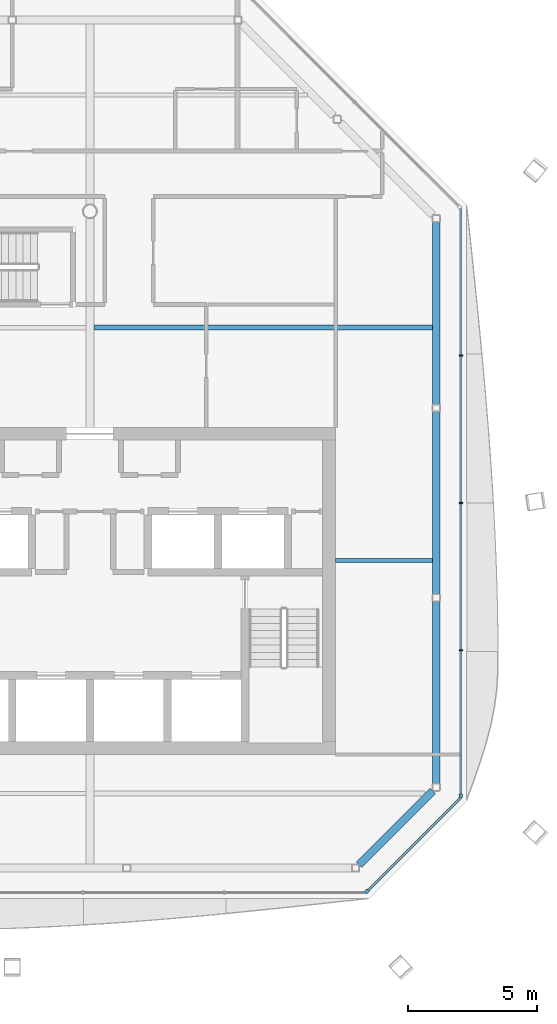
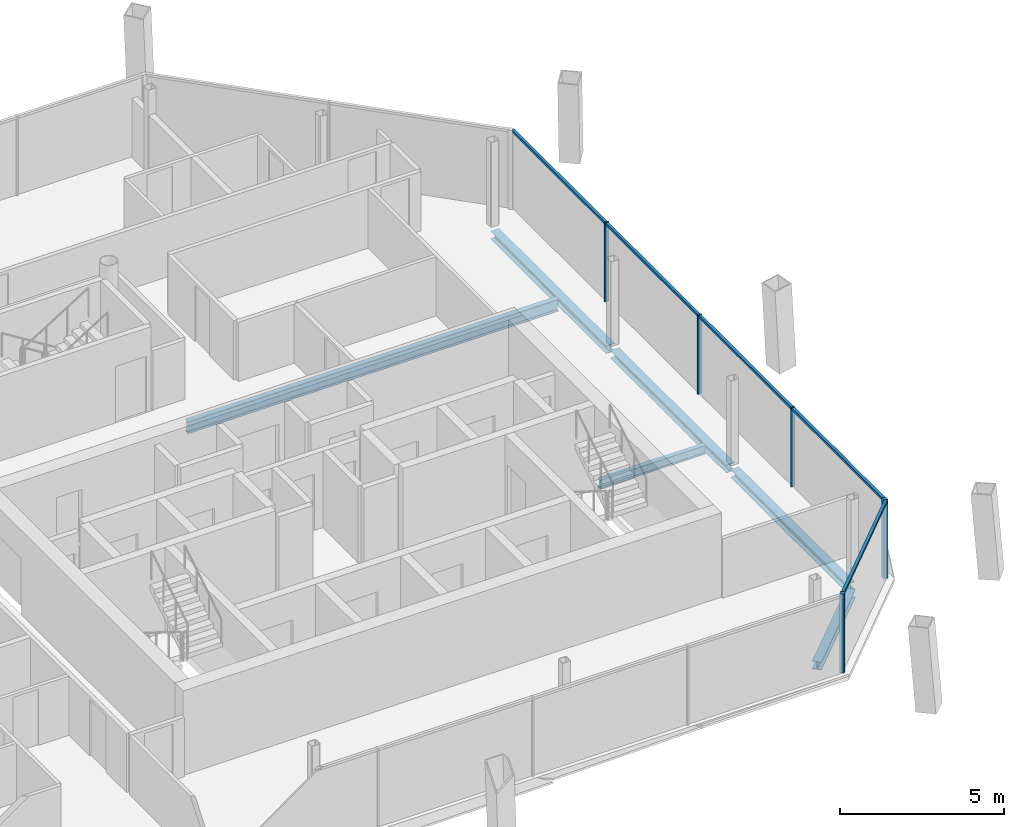
# One storey, part 6 of 16: 10 members, 6 beams, 2 elements without a shape of their own.
"""IFC4 building model written with IfcOpenShell, lengths in metres."""

from ifc_helpers import new_model, si_unit, direction, frame, origin, origin_2d, place, context, subcontext, project, spatial, rectangle, i_section, extrude, material, material_profile, profile_set, type_object, element, aggregate, save


model = new_model("IFC4")

# Units and contexts
model_context = context("Model", 3, precision=1e-05, world=origin(), true_north=direction((0.0, 1.0)))
body_context = subcontext(model_context, "Body", "Model", "MODEL_VIEW")
ifc_project = project(units=[si_unit("LENGTHUNIT", "METRE"), si_unit("AREAUNIT", "SQUARE_METRE"), si_unit("VOLUMEUNIT", "CUBIC_METRE"), si_unit("PLANEANGLEUNIT", "RADIAN"), si_unit("MASSUNIT", "GRAM", prefix="KILO")], contexts=[model_context])

# Site, building, storey
site_placement = place(None, origin())
site = spatial("IfcSite", under=ifc_project, at=site_placement, CompositionType="ELEMENT")
building_placement = place(site_placement, origin())
building = spatial("IfcBuilding", under=site, at=building_placement, Name="Tskaro Facet Tower", CompositionType="ELEMENT")
storey_placement = place(building_placement, frame((0.0, 0.0, 248.699951171875)))
storey = spatial("IfcBuildingStorey", under=building, at=storey_placement, Name="L65", CompositionType="ELEMENT", Elevation=248.699951171875)

# Curtain wall, member
ifc_material_1 = material(Name="Bronze anodised aluminium 6063-T6", Category="aluminium")
curtain_wall_type = type_object("IfcCurtainWallType", Name="Bronze residence curtain wall (FW3)", PredefinedType="NOTDEFINED", material=ifc_material_1)
curtain_wall_1_placement = place(storey_placement, origin())
curtain_wall_1 = element("IfcCurtainWall", 1, at=curtain_wall_1_placement, inside=storey, type_object=curtain_wall_type, Name="FW3 south-east facet L65", PredefinedType="NOTDEFINED")
ifc_material_profile_1 = material_profile(ifc_material_1, rectangle(XDim=0.139892578125, YDim=0.139892578125, at=origin_2d()), Name="Corner post 140x140")
ifc_profile_set_1 = profile_set([ifc_material_profile_1], Name="Bronze anodised aluminium 6063-T6")
member_type_1 = type_object("IfcMemberType", Name="FW3 bronze corner post 140x140", PredefinedType="MULLION", material=ifc_profile_set_1)
member_1_placement = place(storey_placement, frame((10.71044921875, -17.29150390625, 0.0), z_axis=(0.0, 0.0, 1.0), x_axis=(0.707106781187, 0.707106781187, 0.0)))
member_1 = element("IfcMember", 2, at=member_1_placement, type_object=member_type_1, Name="FW3 south-east corner post", PredefinedType="MULLION", context=body_context, shape_type="SweptSolid", body=[
    extrude(rectangle(XDim=0.139892578125, YDim=0.139892578125, at=origin_2d()), origin(), (0.0, 0.0, 1.0), 2.949951171875),
])

# Curtain wall, members
curtain_wall_2_placement = place(storey_placement, origin())
curtain_wall_2 = element("IfcCurtainWall", 3, at=curtain_wall_2_placement, inside=storey, type_object=curtain_wall_type, Name="FW3 east facet L65", PredefinedType="NOTDEFINED")
member_2_placement = place(storey_placement, frame((14.341064453125, -13.591064453125, 0.0), z_axis=(0.0, 0.0, 1.0), x_axis=(0.0, 1.0, 0.0)))
member_2 = element("IfcMember", 4, at=member_2_placement, type_object=member_type_1, Name="FW3 east corner post", PredefinedType="MULLION", context=body_context, shape_type="SweptSolid", body=[
    extrude(rectangle(XDim=0.139892578125, YDim=0.139892578125, at=origin_2d()), origin(), (0.0, 0.0, 1.0), 2.949951171875),
])
ifc_material_profile_2 = material_profile(ifc_material_1, rectangle(XDim=0.050048828125, YDim=0.139892578125, at=origin_2d()), Name="Mullion 50x140")
ifc_profile_set_2 = profile_set([ifc_material_profile_2], Name="Bronze anodised aluminium 6063-T6")
member_type_2 = type_object("IfcMemberType", Name="FW3 bronze mullion 50x140", PredefinedType="MULLION", material=ifc_profile_set_2)
member_3_placement = place(storey_placement, frame((14.341064453125, -7.96630859375, 0.0), z_axis=(0.0, 0.0, 1.0), x_axis=(0.0, 1.0, 0.0)))
member_3 = element("IfcMember", 5, at=member_3_placement, type_object=member_type_2, Name="FW3 east mullion 1", PredefinedType="MULLION", context=body_context, shape_type="SweptSolid", body=[
    extrude(rectangle(XDim=0.050048828125, YDim=0.139892578125, at=origin_2d()), origin(), (0.0, 0.0, 1.0), 2.949951171875),
])
member_4_placement = place(storey_placement, frame((14.341064453125, -2.271484375, 0.0), z_axis=(0.0, 0.0, 1.0), x_axis=(0.0, 1.0, 0.0)))
member_4 = element("IfcMember", 6, at=member_4_placement, type_object=member_type_2, Name="FW3 east mullion 2", PredefinedType="MULLION", context=body_context, shape_type="SweptSolid", body=[
    extrude(rectangle(XDim=0.050048828125, YDim=0.139892578125, at=origin_2d()), origin(), (0.0, 0.0, 1.0), 2.949951171875),
])
member_5_placement = place(storey_placement, frame((14.341064453125, 3.42333984375, 0.0), z_axis=(0.0, 0.0, 1.0), x_axis=(0.0, 1.0, 0.0)))
member_5 = element("IfcMember", 7, at=member_5_placement, type_object=member_type_2, Name="FW3 east mullion 3", PredefinedType="MULLION", context=body_context, shape_type="SweptSolid", body=[
    extrude(rectangle(XDim=0.050048828125, YDim=0.139892578125, at=origin_2d()), origin(), (0.0, 0.0, 1.0), 2.949951171875),
])

# Member
ifc_material_profile_3 = material_profile(ifc_material_1, rectangle(XDim=0.10009765625, YDim=0.090087890625, at=origin_2d()), Name="Transom 100x90")
ifc_profile_set_3 = profile_set([ifc_material_profile_3], Name="Bronze anodised aluminium 6063-T6")
member_type_3 = type_object("IfcMemberType", Name="FW3 bronze transom 100x90", PredefinedType="USERDEFINED", material=ifc_profile_set_3)
member_6_placement = place(storey_placement, frame((10.760009765625, -17.241943359375, 2.905029296875), z_axis=(0.707106781187, 0.707106781187, 0.0), x_axis=(-0.707106781187, 0.707106781187, 0.0)))
member_6 = element("IfcMember", 8, at=member_6_placement, type_object=member_type_3, Name="FW3 south-east transom 1.1", ObjectType="TRANSOM", PredefinedType="USERDEFINED", context=body_context, shape_type="SweptSolid", body=[
    extrude(rectangle(XDim=0.10009765625, YDim=0.090087890625, at=origin_2d()), origin(), (0.0, 0.0, 1.0), 5.064453125),
])

aggregate(curtain_wall_1, [member_1, member_6])

member_7_placement = place(storey_placement, frame((14.341064453125, -13.52099609375, 2.905029296875), z_axis=(0.0, 1.0, 0.0), x_axis=(-1.0, 0.0, 0.0)))
member_7 = element("IfcMember", 9, at=member_7_placement, type_object=member_type_3, Name="FW3 east transom 1.1", ObjectType="TRANSOM", PredefinedType="USERDEFINED", context=body_context, shape_type="SweptSolid", body=[
    extrude(rectangle(XDim=0.10009765625, YDim=0.090087890625, at=origin_2d()), origin(), (0.0, 0.0, 1.0), 5.52978515625),
])

member_8_placement = place(storey_placement, frame((14.341064453125, -7.941162109375, 2.905029296875), z_axis=(0.0, 1.0, 0.0), x_axis=(-1.0, 0.0, 0.0)))
member_8 = element("IfcMember", 10, at=member_8_placement, type_object=member_type_3, Name="FW3 east transom 2.1", ObjectType="TRANSOM", PredefinedType="USERDEFINED", context=body_context, shape_type="SweptSolid", body=[
    extrude(rectangle(XDim=0.10009765625, YDim=0.090087890625, at=origin_2d()), origin(), (0.0, 0.0, 1.0), 5.644775390625),
])

member_9_placement = place(storey_placement, frame((14.341064453125, -2.24658203125, 2.905029296875), z_axis=(0.0, 1.0, 0.0), x_axis=(-1.0, 0.0, 0.0)))
member_9 = element("IfcMember", 11, at=member_9_placement, type_object=member_type_3, Name="FW3 east transom 3.1", ObjectType="TRANSOM", PredefinedType="USERDEFINED", context=body_context, shape_type="SweptSolid", body=[
    extrude(rectangle(XDim=0.10009765625, YDim=0.090087890625, at=origin_2d()), origin(), (0.0, 0.0, 1.0), 5.644775390625),
])

member_10_placement = place(storey_placement, frame((14.341064453125, 3.4482421875, 2.905029296875), z_axis=(0.0, 1.0, 0.0), x_axis=(-1.0, 0.0, 0.0)))
member_10 = element("IfcMember", 12, at=member_10_placement, type_object=member_type_3, Name="FW3 east transom 4.1", ObjectType="TRANSOM", PredefinedType="USERDEFINED", context=body_context, shape_type="SweptSolid", body=[
    extrude(rectangle(XDim=0.10009765625, YDim=0.090087890625, at=origin_2d()), origin(), (0.0, 0.0, 1.0), 5.669677734375),
])

aggregate(curtain_wall_2, [member_2, member_3, member_4, member_5, member_7, member_8, member_9, member_10])

# Beams
ifc_material_2 = material(Name="Steel S355J2", Category="steel")
ifc_material_profile_4 = material_profile(ifc_material_2, i_section(OverallWidth=0.300048828125, OverallDepth=0.300048828125, WebThickness=0.010986328125, FlangeThickness=0.01904296875, FilletRadius=0.027099609375, at=origin_2d()), Name="HE 300 B")
ifc_profile_set_4 = profile_set([ifc_material_profile_4], Name="Steel S355J2")
beam_type_1 = type_object("IfcBeamType", Name="HE 300 B ring beam", PredefinedType="BEAM", material=ifc_profile_set_4)
beam_1_placement = place(storey_placement, frame((10.40380859375, -16.255126953125, -0.2900390625), z_axis=(0.707106781187, 0.707106781187, 0.0), x_axis=(-0.707106781187, 0.707106781187, 0.0)))
element("IfcBeam", 13, at=beam_1_placement, inside=storey, type_object=beam_type_1, Name="HE 300 B EB4-5", PredefinedType="BEAM", context=body_context, shape_type="SweptSolid", body=[
    extrude(i_section(OverallWidth=0.300048828125, OverallDepth=0.300048828125, WebThickness=0.010986328125, FlangeThickness=0.01904296875, FilletRadius=0.027099609375, at=origin_2d()), origin(), (0.0, 0.0, 1.0), 4.032470703125),
])
beam_2_placement = place(storey_placement, frame((13.39111328125, -13.137939453125, -0.2900390625), z_axis=(0.0, 1.0, 0.0), x_axis=(-1.0, 0.0, 0.0)))
element("IfcBeam", 14, at=beam_2_placement, inside=storey, type_object=beam_type_1, Name="HE 300 B EB5-5", PredefinedType="BEAM", context=body_context, shape_type="SweptSolid", body=[
    extrude(i_section(OverallWidth=0.300048828125, OverallDepth=0.300048828125, WebThickness=0.010986328125, FlangeThickness=0.01904296875, FilletRadius=0.027099609375, at=origin_2d()), origin(), (0.0, 0.0, 1.0), 7.071044921875),
])
beam_3_placement = place(storey_placement, frame((13.39111328125, -5.806884765625, -0.2900390625), z_axis=(0.0, 1.0, 0.0), x_axis=(-1.0, 0.0, 0.0)))
element("IfcBeam", 15, at=beam_3_placement, inside=storey, type_object=beam_type_1, Name="HE 300 B EB6-5", PredefinedType="BEAM", context=body_context, shape_type="SweptSolid", body=[
    extrude(i_section(OverallWidth=0.300048828125, OverallDepth=0.300048828125, WebThickness=0.010986328125, FlangeThickness=0.01904296875, FilletRadius=0.027099609375, at=origin_2d()), origin(), (0.0, 0.0, 1.0), 7.07080078125),
])
beam_4_placement = place(storey_placement, frame((13.39111328125, 1.52392578125, -0.2900390625), z_axis=(0.0, 1.0, 0.0), x_axis=(-1.0, 0.0, 0.0)))
element("IfcBeam", 16, at=beam_4_placement, inside=storey, type_object=beam_type_1, Name="HE 300 B EB7-5", PredefinedType="BEAM", context=body_context, shape_type="SweptSolid", body=[
    extrude(i_section(OverallWidth=0.300048828125, OverallDepth=0.300048828125, WebThickness=0.010986328125, FlangeThickness=0.01904296875, FilletRadius=0.027099609375, at=origin_2d()), origin(), (0.0, 0.0, 1.0), 7.071044921875),
])
ifc_material_profile_5 = material_profile(ifc_material_2, i_section(OverallWidth=0.159912109375, OverallDepth=0.330078125, WebThickness=0.007568359375, FlangeThickness=0.011474609375, FilletRadius=0.01806640625, at=origin_2d()), Name="IPE 330")
ifc_profile_set_5 = profile_set([ifc_material_profile_5], Name="Steel S355J2")
beam_type_2 = type_object("IfcBeamType", Name="IPE 330 secondary beam", PredefinedType="BEAM", material=ifc_profile_set_5)
beam_5_placement = place(storey_placement, frame((9.5, -4.5, -0.304931640625), z_axis=(1.0, 0.0, 0.0), x_axis=(0.0, 1.0, 0.0)))
element("IfcBeam", 17, at=beam_5_placement, inside=storey, type_object=beam_type_2, Name="IPE 330 SB3a-2-5", PredefinedType="BEAM", context=body_context, shape_type="SweptSolid", body=[
    extrude(i_section(OverallWidth=0.159912109375, OverallDepth=0.330078125, WebThickness=0.007568359375, FlangeThickness=0.011474609375, FilletRadius=0.01806640625, at=origin_2d()), origin(), (0.0, 0.0, 1.0), 3.740966796875),
])
ifc_material_profile_6 = material_profile(ifc_material_2, i_section(OverallWidth=0.18994140625, OverallDepth=0.449951171875, WebThickness=0.009521484375, FlangeThickness=0.0146484375, FilletRadius=0.02099609375, at=origin_2d()), Name="IPE 450")
ifc_profile_set_6 = profile_set([ifc_material_profile_6], Name="Steel S355J2")
beam_type_3 = type_object("IfcBeamType", Name="IPE 450 long secondary beam", PredefinedType="BEAM", material=ifc_profile_set_6)
beam_6_placement = place(storey_placement, frame((0.14990234375, 4.5, -0.364990234375), z_axis=(1.0, 0.0, 0.0), x_axis=(0.0, 1.0, 0.0)))
element("IfcBeam", 18, at=beam_6_placement, inside=storey, type_object=beam_type_3, Name="IPE 450 LSB4a-3-5", PredefinedType="BEAM", context=body_context, shape_type="SweptSolid", body=[
    extrude(i_section(OverallWidth=0.18994140625, OverallDepth=0.449951171875, WebThickness=0.009521484375, FlangeThickness=0.0146484375, FilletRadius=0.02099609375, at=origin_2d()), origin(), (0.0, 0.0, 1.0), 13.091064453125),
])

save(model, "model.ifc")
